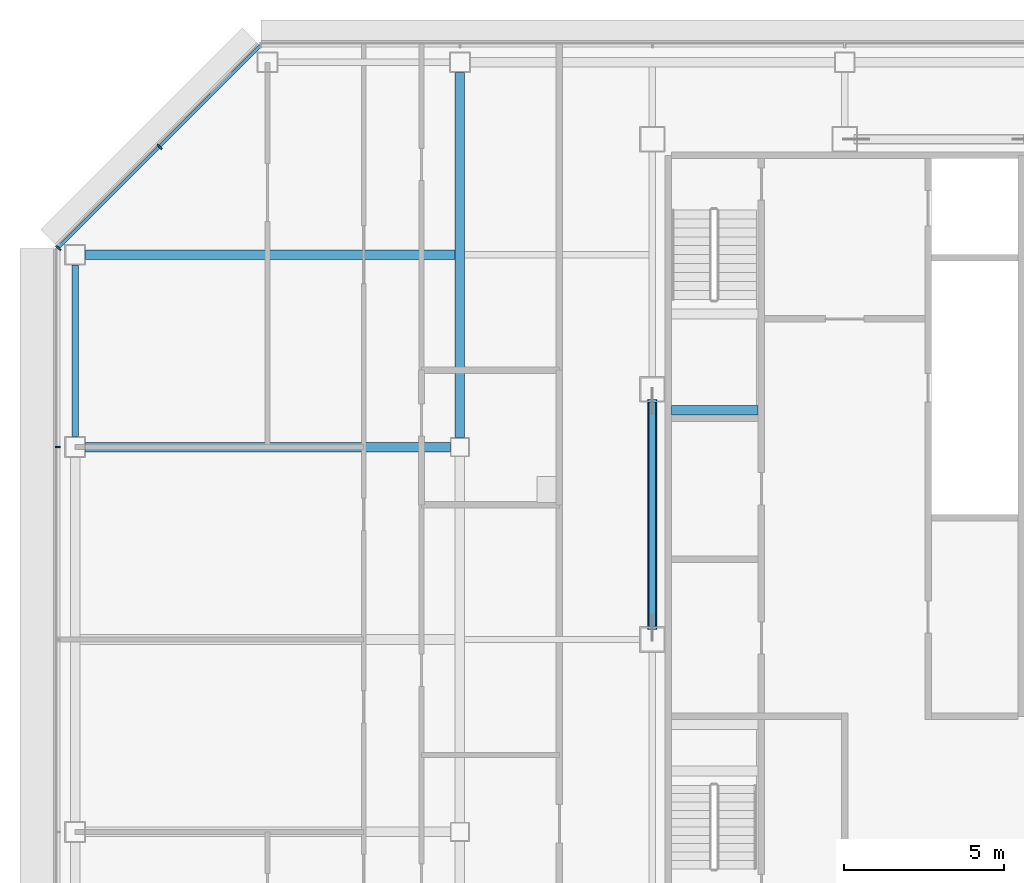
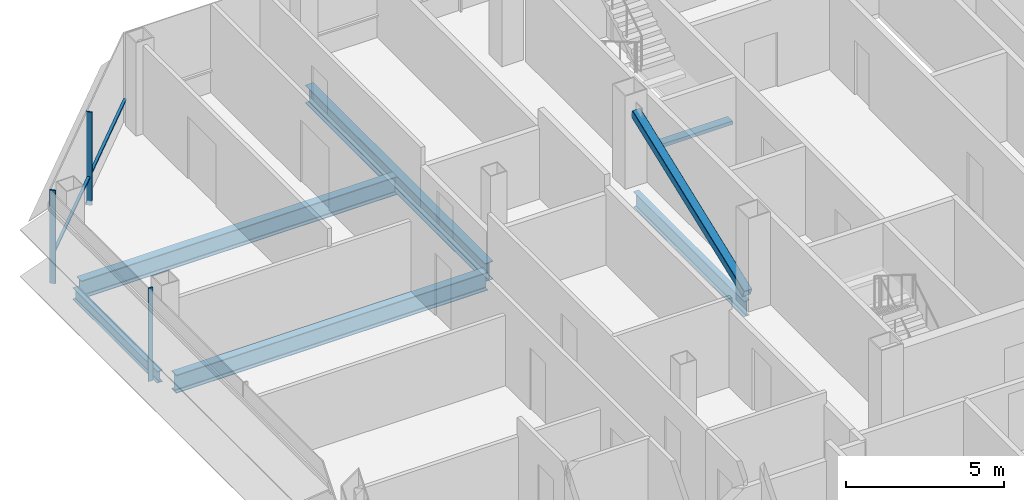
# One storey, part 11 of 26: 6 beams, 5 members, 2 elements without a shape of their own.
"""IFC4 building model written with IfcOpenShell, lengths in metres."""

from ifc_helpers import new_model, si_unit, direction, frame, origin, origin_2d, place, context, subcontext, project, spatial, rectangle, hollow_rectangle, i_section, extrude, material, material_profile, profile_set, type_object, element, aggregate, save


model = new_model("IFC4")

# Units and contexts
model_context = context("Model", 3, precision=1e-05, world=origin(), true_north=direction((0.0, 1.0)))
body_context = subcontext(model_context, "Body", "Model", "MODEL_VIEW")
ifc_project = project(units=[si_unit("LENGTHUNIT", "METRE"), si_unit("AREAUNIT", "SQUARE_METRE"), si_unit("VOLUMEUNIT", "CUBIC_METRE"), si_unit("PLANEANGLEUNIT", "RADIAN"), si_unit("MASSUNIT", "GRAM", prefix="KILO")], contexts=[model_context])

# Site, building, storey
site_placement = place(None, origin())
site = spatial("IfcSite", under=ifc_project, at=site_placement, CompositionType="ELEMENT")
building_placement = place(site_placement, origin())
building = spatial("IfcBuilding", under=site, at=building_placement, Name="Sorahane Residences", CompositionType="ELEMENT")
storey_placement = place(building_placement, frame((0.0, 0.0, 215.39990234375)))
storey = spatial("IfcBuildingStorey", under=building, at=storey_placement, Name="L50", CompositionType="ELEMENT", Elevation=215.39990234375)

# Member
ifc_material_1 = material(Name="Steel Q355B", Category="steel")
ifc_material_profile_1 = material_profile(ifc_material_1, hollow_rectangle(XDim=0.300048828125, YDim=0.300048828125, WallThickness=0.01611328125, InnerFilletRadius=0.008056640625, OuterFilletRadius=0.02392578125, at=origin_2d()), Name="RHS 300x300x16")
ifc_profile_set_1 = profile_set([ifc_material_profile_1], Name="Steel Q355B")
member_type_1 = type_object("IfcMemberType", Name="Core brace RHS 300x300x16 Q355B", PredefinedType="BRACE", material=ifc_profile_set_1)
member_1_placement = place(storey_placement, frame((6.0, 30.367919921875, 0.137939453125), z_axis=(0.0, 0.934346475268, 0.35636591329), x_axis=(-1.0, 0.0, 0.0)))
element("IfcMember", 1, at=member_1_placement, inside=storey, type_object=member_type_1, Name="Core brace L50 x6-2", PredefinedType="BRACE", context=body_context, shape_type="SweptSolid", body=[
    extrude(hollow_rectangle(XDim=0.300048828125, YDim=0.300048828125, WallThickness=0.01611328125, InnerFilletRadius=0.008056640625, OuterFilletRadius=0.02392578125, at=origin_2d()), origin(), (0.0, 0.0, 1.0), 7.560546875),
])

# Curtain wall, member
ifc_material_2 = material(Name="Dark low-e glass and black anodised aluminium", Category="aluminium")
curtain_wall_type_1 = type_object("IfcCurtainWallType", Name="Curtain wall CW-1 Typical unitised wall", PredefinedType="NOTDEFINED", material=ifc_material_2)
curtain_wall_1_placement = place(storey_placement, origin())
curtain_wall_1 = element("IfcCurtainWall", 2, at=curtain_wall_1_placement, inside=storey, type_object=curtain_wall_type_1, Name="CW-1 curtain wall L50 W1", PredefinedType="NOTDEFINED")
ifc_material_3 = material(Name="Black anodised aluminium", Category="aluminium")
ifc_material_profile_2 = material_profile(ifc_material_3, rectangle(XDim=0.159912109375, YDim=0.050048828125, at=origin_2d()), Name="Curtain wall mullion CW-1 black anodised aluminium 50x160")
ifc_profile_set_2 = profile_set([ifc_material_profile_2], Name="Black anodised aluminium")
member_type_2 = type_object("IfcMemberType", Name="Curtain wall mullion CW-1 black anodised aluminium 50x160", PredefinedType="MULLION", material=ifc_profile_set_2)
member_2_placement = place(storey_placement, frame((-12.5400390625, 36.0, -0.179931640625), z_axis=(0.0, 0.0, 1.0), x_axis=(-1.0, 0.0, 0.0)))
member_2 = element("IfcMember", 3, at=member_2_placement, type_object=member_type_2, Name="CW-1 mullion L50 W1.2", PredefinedType="MULLION", context=body_context, shape_type="SweptSolid", body=[
    extrude(rectangle(XDim=0.159912109375, YDim=0.050048828125, at=origin_2d()), origin(), (0.0, 0.0, 1.0), 3.60009765625),
])
aggregate(curtain_wall_1, [member_2])

# Curtain wall, members
ifc_material_4 = material(Name="Dark low-e glass and black anodised aluminium", Category="aluminium")
curtain_wall_type_2 = type_object("IfcCurtainWallType", Name="Curtain wall CW-2 Chamfer unitised wall", PredefinedType="NOTDEFINED", material=ifc_material_4)
curtain_wall_2_placement = place(storey_placement, origin())
curtain_wall_2 = element("IfcCurtainWall", 4, at=curtain_wall_2_placement, inside=storey, type_object=curtain_wall_type_2, Name="CW-2 curtain wall L50 NW1", PredefinedType="NOTDEFINED")
ifc_material_5 = material(Name="Black anodised aluminium", Category="aluminium")
ifc_material_profile_3 = material_profile(ifc_material_5, rectangle(XDim=0.199951171875, YDim=0.050048828125, at=origin_2d()), Name="Curtain wall mullion CW-2 black anodised aluminium 50x200")
ifc_profile_set_3 = profile_set([ifc_material_profile_3], Name="Black anodised aluminium")
member_type_3 = type_object("IfcMemberType", Name="Curtain wall mullion CW-2 black anodised aluminium 50x200", PredefinedType="MULLION", material=ifc_profile_set_3)
member_3_placement = place(storey_placement, frame((-9.36767578125, 45.36767578125, -0.179931640625), z_axis=(0.0, 0.0, 1.0), x_axis=(-0.707106781187, 0.707106781187, 0.0)))
member_3 = element("IfcMember", 5, at=member_3_placement, type_object=member_type_3, Name="CW-2 mullion L50 NW1.2", PredefinedType="MULLION", context=body_context, shape_type="SweptSolid", body=[
    extrude(rectangle(XDim=0.199951171875, YDim=0.050048828125, at=origin_2d()), origin(), (0.0, 0.0, 1.0), 3.60009765625),
])
member_4_placement = place(storey_placement, frame((-12.525634765625, 42.209716796875, -0.179931640625), z_axis=(0.0, 0.0, 1.0), x_axis=(-0.707106781187, 0.707106781187, 0.0)))
member_4 = element("IfcMember", 6, at=member_4_placement, type_object=member_type_3, Name="CW-2 mullion L50 NW1.3", PredefinedType="MULLION", context=body_context, shape_type="SweptSolid", body=[
    extrude(rectangle(XDim=0.199951171875, YDim=0.050048828125, at=origin_2d()), origin(), (0.0, 0.0, 1.0), 3.60009765625),
])
ifc_material_6 = material(Name="Black anodised aluminium", Category="aluminium")
ifc_material_profile_4 = material_profile(ifc_material_6, rectangle(XDim=0.10009765625, YDim=0.06005859375, at=origin_2d()), Name="Curtain wall transom CW-2 black anodised aluminium 60x100")
ifc_profile_set_4 = profile_set([ifc_material_profile_4], Name="Black anodised aluminium")
member_type_4 = type_object("IfcMemberType", Name="Curtain wall transom CW-2 black anodised aluminium 60x100", PredefinedType="USERDEFINED", material=ifc_profile_set_4)
member_5_placement = place(storey_placement, frame((-6.234375, 48.51513671875, 0.900146484375), z_axis=(-0.707106781187, -0.707106781187, 0.0), x_axis=(0.707106781187, -0.707106781187, 0.0)))
member_5 = element("IfcMember", 7, at=member_5_placement, type_object=member_type_4, Name="CW-2 transom L50 NW1", ObjectType="TRANSOM", PredefinedType="USERDEFINED", context=body_context, shape_type="SweptSolid", body=[
    extrude(rectangle(XDim=0.10009765625, YDim=0.06005859375, at=origin_2d()), origin(), (0.0, 0.0, 1.0), 8.88232421875),
])
aggregate(curtain_wall_2, [member_3, member_4, member_5])

# Beams
ifc_material_7 = material(Name="Concrete C40", Category="concrete")
ifc_material_profile_5 = material_profile(ifc_material_7, rectangle(XDim=0.300048828125, YDim=0.139892578125, at=origin_2d()), Name="300x140")
ifc_profile_set_5 = profile_set([ifc_material_profile_5], Name="Concrete C40")
beam_type_1 = type_object("IfcBeamType", Name="RC landing beam 300 x 140 Concrete C40", PredefinedType="BEAM", material=ifc_profile_set_5)
beam_1_placement = place(storey_placement, frame((6.60009765625, 37.14990234375, 1.530029296875), z_axis=(1.0, 0.0, 0.0), x_axis=(0.0, 1.0, 0.0)))
element("IfcBeam", 8, at=beam_1_placement, inside=storey, type_object=beam_type_1, Name="Landing beam", PredefinedType="BEAM", context=body_context, shape_type="SweptSolid", body=[
    extrude(rectangle(XDim=0.300048828125, YDim=0.139892578125, at=origin_2d()), origin(), (0.0, 0.0, 1.0), 2.699951171875),
])
ifc_material_8 = material(Name="Steel Q355B", Category="steel")
ifc_material_profile_6 = material_profile(ifc_material_8, i_section(OverallWidth=0.199951171875, OverallDepth=0.449951171875, WebThickness=0.009033203125, FlangeThickness=0.013916015625, FilletRadius=0.02001953125, at=origin_2d()), Name="HN 450x200x9x14")
ifc_profile_set_6 = profile_set([ifc_material_profile_6], Name="Steel Q355B")
beam_type_2 = type_object("IfcBeamType", Name="Steel floor beam HN 450x200x9x14 Q355B", PredefinedType="BEAM", material=ifc_profile_set_6)
beam_2_placement = place(storey_placement, frame((-12.0, 36.324951171875, -0.40478515625), z_axis=(0.0, 1.0, 0.0), x_axis=(-1.0, 0.0, 0.0)))
element("IfcBeam", 9, at=beam_2_placement, inside=storey, type_object=beam_type_2, Name="Beam L50 023", PredefinedType="BEAM", context=body_context, shape_type="SweptSolid", body=[
    extrude(i_section(OverallWidth=0.199951171875, OverallDepth=0.449951171875, WebThickness=0.009033203125, FlangeThickness=0.013916015625, FilletRadius=0.02001953125, at=origin_2d()), origin(), (0.0, 0.0, 1.0), 5.35009765625),
])
ifc_material_9 = material(Name="Steel Q355B", Category="steel")
ifc_material_profile_7 = material_profile(ifc_material_9, i_section(OverallWidth=0.199951171875, OverallDepth=0.60009765625, WebThickness=0.010986328125, FlangeThickness=0.01708984375, FilletRadius=0.02392578125, at=origin_2d()), Name="HN 600x200x11x17")
ifc_profile_set_7 = profile_set([ifc_material_profile_7], Name="Steel Q355B")
beam_type_3 = type_object("IfcBeamType", Name="Steel floor beam HN 600x200x11x17 Q355B", PredefinedType="BEAM", material=ifc_profile_set_7)
beam_3_placement = place(storey_placement, frame((6.0, 30.39990234375, -0.47998046875), z_axis=(0.0, 1.0, 0.0), x_axis=(-1.0, 0.0, 0.0)))
element("IfcBeam", 10, at=beam_3_placement, inside=storey, type_object=beam_type_3, Name="Beam L50 031", PredefinedType="BEAM", context=body_context, shape_type="SweptSolid", body=[
    extrude(i_section(OverallWidth=0.199951171875, OverallDepth=0.60009765625, WebThickness=0.010986328125, FlangeThickness=0.01708984375, FilletRadius=0.02392578125, at=origin_2d()), origin(), (0.0, 0.0, 1.0), 7.0),
])
ifc_material_10 = material(Name="Steel Q355B", Category="steel")
ifc_material_profile_8 = material_profile(ifc_material_10, i_section(OverallWidth=0.300048828125, OverallDepth=0.699951171875, WebThickness=0.012939453125, FlangeThickness=0.02392578125, FilletRadius=0.028076171875, at=origin_2d()), Name="HN 700x300x13x24")
ifc_profile_set_8 = profile_set([ifc_material_profile_8], Name="Steel Q355B")
beam_type_4 = type_object("IfcBeamType", Name="Steel floor beam HN 700x300x13x24 Q355B", PredefinedType="BEAM", material=ifc_profile_set_8)
for number, where, z_axis, x_axis, name in (
    (11, (-11.675048828125, 36.0, -0.52978515625), (1.0, 0.0, 0.0), (0.0, 1.0, 0.0), "Beam L50 013"),
    (12, (0.0, 36.300048828125, -0.52978515625), (0.0, 1.0, 0.0), (-1.0, 0.0, 0.0), "Beam L50 027"),
):
    element("IfcBeam", number, at=place(storey_placement, frame(where, z_axis=z_axis, x_axis=x_axis)), inside=storey, type_object=beam_type_4, Name=name, PredefinedType="BEAM", context=body_context, shape_type="SweptSolid", body=[
        extrude(i_section(OverallWidth=0.300048828125, OverallDepth=0.699951171875, WebThickness=0.012939453125, FlangeThickness=0.02392578125, FilletRadius=0.028076171875, at=origin_2d()), origin(), (0.0, 0.0, 1.0), 11.375),
    ])
beam_4_placement = place(storey_placement, frame((-11.675048828125, 42.0, -0.52978515625), z_axis=(1.0, 0.0, 0.0), x_axis=(0.0, 1.0, 0.0)))
element("IfcBeam", 13, at=beam_4_placement, inside=storey, type_object=beam_type_4, Name="Beam L50 089", PredefinedType="BEAM", context=body_context, shape_type="SweptSolid", body=[
    extrude(i_section(OverallWidth=0.300048828125, OverallDepth=0.699951171875, WebThickness=0.012939453125, FlangeThickness=0.02392578125, FilletRadius=0.028076171875, at=origin_2d()), origin(), (0.0, 0.0, 1.0), 11.525146484375),
])

save(model, "model.ifc")
